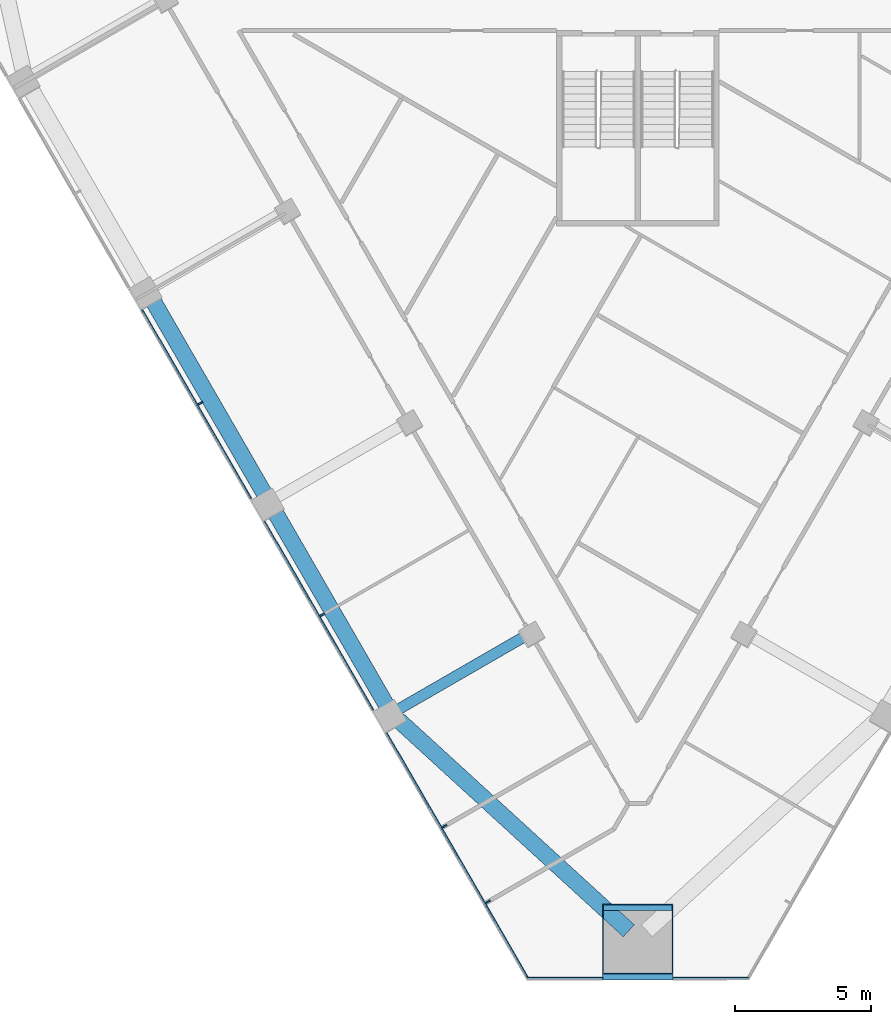
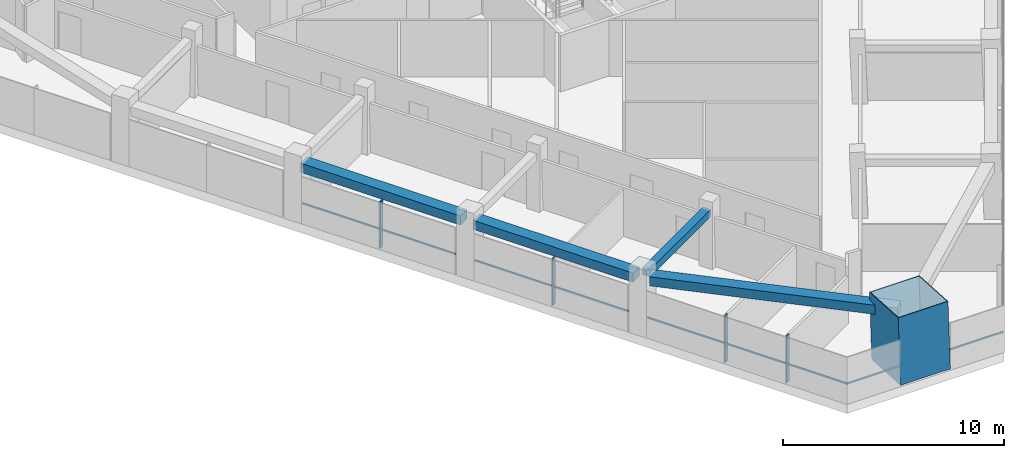
# One storey, part 2 of 14: 10 members, 4 beams, 2 elements without a shape of their own.
"""IFC4 building model written with IfcOpenShell, lengths in metres."""

from ifc_helpers import new_model, si_unit, direction, frame, origin, origin_2d, place, context, subcontext, project, spatial, rectangle, hollow_rectangle, extrude, material, layer, layer_set, material_profile, profile_set, type_object, element, aggregate, save


model = new_model("IFC4")

# Units and contexts
model_context = context("Model", 3, precision=1e-05, world=origin(), true_north=direction((0.0, 1.0)))
body_context = subcontext(model_context, "Body", "Model", "MODEL_VIEW")
ifc_project = project(units=[si_unit("LENGTHUNIT", "METRE"), si_unit("AREAUNIT", "SQUARE_METRE"), si_unit("VOLUMEUNIT", "CUBIC_METRE"), si_unit("PLANEANGLEUNIT", "RADIAN"), si_unit("MASSUNIT", "GRAM", prefix="KILO")], contexts=[model_context])

# Site, building, storey
site_placement = place(None, origin())
site = spatial("IfcSite", under=ifc_project, at=site_placement, CompositionType="ELEMENT")
building_placement = place(site_placement, origin())
building = spatial("IfcBuilding", under=site, at=building_placement, Name="Altiplano Prism Tower", CompositionType="ELEMENT")
storey_placement = place(building_placement, frame((0.0, 0.0, 111.60009765625)))
storey = spatial("IfcBuildingStorey", under=building, at=storey_placement, Name="L28", CompositionType="ELEMENT", Elevation=111.60009765625)

# Curtain wall, members
ifc_material_1 = material(Name="Aluminium and glass", Category="aluminium")
ifc_layer = layer(ifc_material_1, 0.303955078125)
ifc_layer_set = layer_set([ifc_layer], Name="Aluminium and glass")
curtain_wall_type = type_object("IfcCurtainWallType", Name="CW2 lounge-band unitised glazing", PredefinedType="NOTDEFINED", material=ifc_layer_set)
curtain_wall_1_placement = place(storey_placement, origin())
curtain_wall_1 = element("IfcCurtainWall", 1, at=curtain_wall_1_placement, inside=storey, type_object=curtain_wall_type, Name="CW2 curtain wall south-west face L28", PredefinedType="NOTDEFINED")
ifc_material_2 = material(Name="Aluminium", Category="aluminium")
ifc_material_profile_1 = material_profile(ifc_material_2, rectangle(XDim=0.199951171875, YDim=0.06005859375, at=origin_2d()), Name="CW2 mullion 60 x 200")
ifc_profile_set_1 = profile_set([ifc_material_profile_1], Name="Aluminium")
member_type_1 = type_object("IfcMemberType", Name="CW2 mullion 60 x 200", PredefinedType="MULLION", material=ifc_profile_set_1)
member_1_placement = place(storey_placement, frame((68.869873046875, 76.85791015625, 0.0), z_axis=(0.0, 0.0, 1.0), x_axis=(0.866025408698, 0.49999999149, 0.0)))
member_1 = element("IfcMember", 2, at=member_1_placement, type_object=member_type_1, Name="CW2 mullion", PredefinedType="MULLION", context=body_context, shape_type="SweptSolid", body=[
    extrude(rectangle(XDim=0.199951171875, YDim=0.06005859375, at=origin_2d()), origin(), (0.0, 0.0, 1.0), 2.599853515625),
])
member_2_placement = place(storey_placement, frame((73.369873046875, 69.063720703125, 0.0), z_axis=(0.0, 0.0, 1.0), x_axis=(0.866025408698, 0.49999999149, 0.0)))
member_2 = element("IfcMember", 3, at=member_2_placement, type_object=member_type_1, Name="CW2 mullion", PredefinedType="MULLION", context=body_context, shape_type="SweptSolid", body=[
    extrude(rectangle(XDim=0.199951171875, YDim=0.06005859375, at=origin_2d()), origin(), (0.0, 0.0, 1.0), 2.599853515625),
])
member_3_placement = place(storey_placement, frame((77.869873046875, 61.269287109375, 0.0), z_axis=(0.0, 0.0, 1.0), x_axis=(0.866025408698, 0.49999999149, 0.0)))
member_3 = element("IfcMember", 4, at=member_3_placement, type_object=member_type_1, Name="CW2 mullion", PredefinedType="MULLION", context=body_context, shape_type="SweptSolid", body=[
    extrude(rectangle(XDim=0.199951171875, YDim=0.06005859375, at=origin_2d()), origin(), (0.0, 0.0, 1.0), 2.599853515625),
])
member_4_placement = place(storey_placement, frame((79.4755859375, 58.488525390625, 0.0), z_axis=(0.0, 0.0, 1.0), x_axis=(0.866025408698, 0.49999999149, 0.0)))
member_4 = element("IfcMember", 5, at=member_4_placement, type_object=member_type_1, Name="CW2 mullion", PredefinedType="MULLION", context=body_context, shape_type="SweptSolid", body=[
    extrude(rectangle(XDim=0.199951171875, YDim=0.06005859375, at=origin_2d()), origin(), (0.0, 0.0, 1.0), 2.599853515625),
])
ifc_material_profile_2 = material_profile(ifc_material_2, rectangle(XDim=0.06005859375, YDim=0.080078125, at=origin_2d()), Name="CW2 transom 80 x 60")
ifc_profile_set_2 = profile_set([ifc_material_profile_2], Name="Aluminium")
member_type_2 = type_object("IfcMemberType", Name="CW2 transom 80 x 60", PredefinedType="USERDEFINED", material=ifc_profile_set_2)
member_5_placement = place(storey_placement, frame((66.732666015625, 80.299560546875, 1.099853515625), z_axis=(0.500012318566, -0.86601829154, 0.0), x_axis=(0.86601829154, 0.500012318566, 0.0)))
member_5 = element("IfcMember", 6, at=member_5_placement, type_object=member_type_2, Name="CW2 transom", ObjectType="TRANSOM", PredefinedType="USERDEFINED", context=body_context, shape_type="SweptSolid", body=[
    extrude(rectangle(XDim=0.06005859375, YDim=0.080078125, at=origin_2d()), origin(), (0.0, 0.0, 1.0), 8.019775390625),
])
member_6_placement = place(storey_placement, frame((71.232666015625, 72.50537109375, 1.099853515625), z_axis=(0.500012318566, -0.86601829154, 0.0), x_axis=(0.86601829154, 0.500012318566, 0.0)))
member_6 = element("IfcMember", 7, at=member_6_placement, type_object=member_type_2, Name="CW2 transom", ObjectType="TRANSOM", PredefinedType="USERDEFINED", context=body_context, shape_type="SweptSolid", body=[
    extrude(rectangle(XDim=0.06005859375, YDim=0.080078125, at=origin_2d()), origin(), (0.0, 0.0, 1.0), 8.019775390625),
])
member_7_placement = place(storey_placement, frame((75.732666015625, 64.711181640625, 1.099853515625), z_axis=(0.500005669834, -0.86602213028, 0.0), x_axis=(0.86602213028, 0.500005669834, 0.0)))
member_7 = element("IfcMember", 8, at=member_7_placement, type_object=member_type_2, Name="CW2 transom", ObjectType="TRANSOM", PredefinedType="USERDEFINED", context=body_context, shape_type="SweptSolid", body=[
    extrude(rectangle(XDim=0.06005859375, YDim=0.080078125, at=origin_2d()), origin(), (0.0, 0.0, 1.0), 10.4716796875),
])
aggregate(curtain_wall_1, [member_1, member_5, member_2, member_6, member_3, member_4, member_7])

curtain_wall_2_placement = place(storey_placement, origin())
curtain_wall_2 = element("IfcCurtainWall", 9, at=curtain_wall_2_placement, inside=storey, type_object=curtain_wall_type, Name="CW2 curtain wall south chamfer L28", PredefinedType="NOTDEFINED")
member_8_placement = place(storey_placement, frame((80.904296875, 55.679443359375, 1.099853515625), z_axis=(1.0, 0.0, 0.0), x_axis=(0.0, 1.0, 0.0)))
member_8 = element("IfcMember", 10, at=member_8_placement, type_object=member_type_2, Name="CW2 transom", ObjectType="TRANSOM", PredefinedType="USERDEFINED", context=body_context, shape_type="SweptSolid", body=[
    extrude(rectangle(XDim=0.06005859375, YDim=0.080078125, at=origin_2d()), origin(), (0.0, 0.0, 1.0), 2.795654296875),
])
member_9_placement = place(storey_placement, frame((86.300048828125, 55.679443359375, 1.099853515625), z_axis=(1.0, 0.0, 0.0), x_axis=(0.0, 1.0, 0.0)))
member_9 = element("IfcMember", 11, at=member_9_placement, type_object=member_type_2, Name="CW2 transom", ObjectType="TRANSOM", PredefinedType="USERDEFINED", context=body_context, shape_type="SweptSolid", body=[
    extrude(rectangle(XDim=0.06005859375, YDim=0.080078125, at=origin_2d()), origin(), (0.0, 0.0, 1.0), 2.795654296875),
])
aggregate(curtain_wall_2, [member_8, member_9])

# Beams
ifc_material_3 = material(Name="Concrete C60/75", Category="concrete")
ifc_material_profile_3 = material_profile(ifc_material_3, rectangle(XDim=0.60009765625, YDim=0.5, at=origin_2d()), Name="Edge beam 600x500")
ifc_profile_set_3 = profile_set([ifc_material_profile_3], Name="Concrete C60/75")
beam_type_1 = type_object("IfcBeamType", Name="Edge beam 600x500", PredefinedType="SPANDREL", material=ifc_profile_set_3)
for number, where, z_axis, x_axis, name in (
    (12, (67.077880859375, 80.730712890625, 2.849853515625), (0.499992746786, -0.866029591389, 0.0), (0.866029591389, 0.499992746786, 0.0), "Edge beam P12-P13 L29"),
    (13, (71.577880859375, 72.9365234375, 2.849853515625), (0.499992746786, -0.866029591389, 0.0), (0.866029591389, 0.499992746786, 0.0), "Edge beam P13-P14 L29"),
):
    element("IfcBeam", number, at=place(storey_placement, frame(where, z_axis=z_axis, x_axis=x_axis)), inside=storey, type_object=beam_type_1, Name=name, PredefinedType="SPANDREL", context=body_context, shape_type="SweptSolid", body=[
        extrude(rectangle(XDim=0.60009765625, YDim=0.5, at=origin_2d()), origin(), (0.0, 0.0, 1.0), 8.33984375),
    ])
beam_1_placement = place(storey_placement, frame((76.172607421875, 65.1904296875, 2.849853515625), z_axis=(0.737874614814, -0.674937814034, 0.0), x_axis=(0.674937814034, 0.737874614814, 0.0)))
element("IfcBeam", 14, at=beam_1_placement, inside=storey, type_object=beam_type_1, Name="Edge beam P14-M1 L29", PredefinedType="SPANDREL", context=body_context, shape_type="SweptSolid", body=[
    extrude(rectangle(XDim=0.60009765625, YDim=0.5, at=origin_2d()), origin(), (0.0, 0.0, 1.0), 11.51318359375),
])

# Member
ifc_material_4 = material(Name="Steel S460", Category="steel")
ifc_material_profile_4 = material_profile(ifc_material_4, hollow_rectangle(XDim=2.60009765625, YDim=2.60009765625, WallThickness=0.0400390625, at=origin_2d()), Name="Mega column tube 2600")
ifc_profile_set_4 = profile_set([ifc_material_profile_4], Name="Steel S460")
member_type_3 = type_object("IfcMemberType", Name="Mega column tube 2600", PredefinedType="POST", material=ifc_profile_set_4)
member_10_placement = place(storey_placement, frame((85.0, 56.905517578125, 0.0), z_axis=(0.0, 0.058360852261, 0.998295552892), x_axis=(-1.0, 0.0, 0.0)))
element("IfcMember", 15, at=member_10_placement, inside=storey, type_object=member_type_3, Name="Mega column tube M1 L28", PredefinedType="POST", context=body_context, shape_type="SweptSolid", body=[
    extrude(hollow_rectangle(XDim=2.60009765625, YDim=2.60009765625, WallThickness=0.0400390625, at=origin_2d()), origin(), (0.0, 0.0, 1.0), 3.60595703125),
])

# Beam
ifc_material_profile_5 = material_profile(ifc_material_3, rectangle(XDim=0.39990234375, YDim=0.39990234375, at=origin_2d()), Name="Tie beam 400x400")
ifc_profile_set_5 = profile_set([ifc_material_profile_5], Name="Concrete C60/75")
beam_type_2 = type_object("IfcBeamType", Name="Tie beam 400x400", PredefinedType="BEAM", material=ifc_profile_set_5)
beam_2_placement = place(storey_placement, frame((80.953125, 68.338134765625, 2.89990234375), z_axis=(-0.866012292785, -0.50002270823, 0.0), x_axis=(0.50002270823, -0.866012292785, 0.0)))
element("IfcBeam", 16, at=beam_2_placement, inside=storey, type_object=beam_type_2, Name="Tie beam I14 L29", PredefinedType="BEAM", context=body_context, shape_type="SweptSolid", body=[
    extrude(rectangle(XDim=0.39990234375, YDim=0.39990234375, at=origin_2d()), origin(), (0.0, 0.0, 1.0), 5.489990234375),
])

save(model, "model.ifc")
